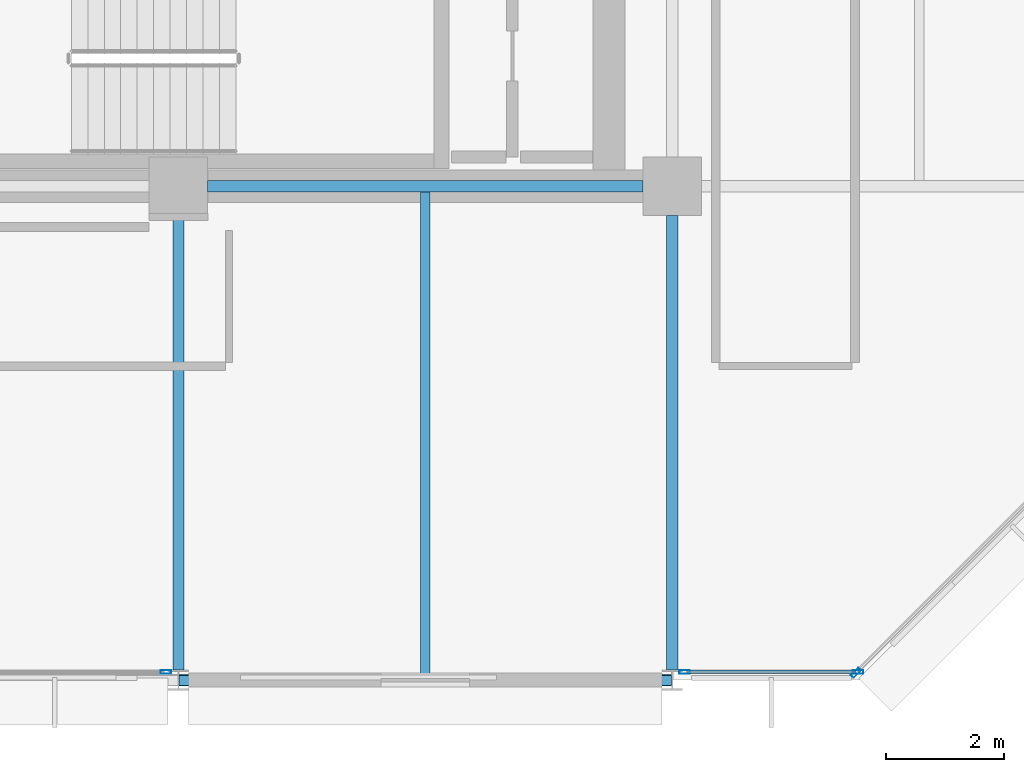
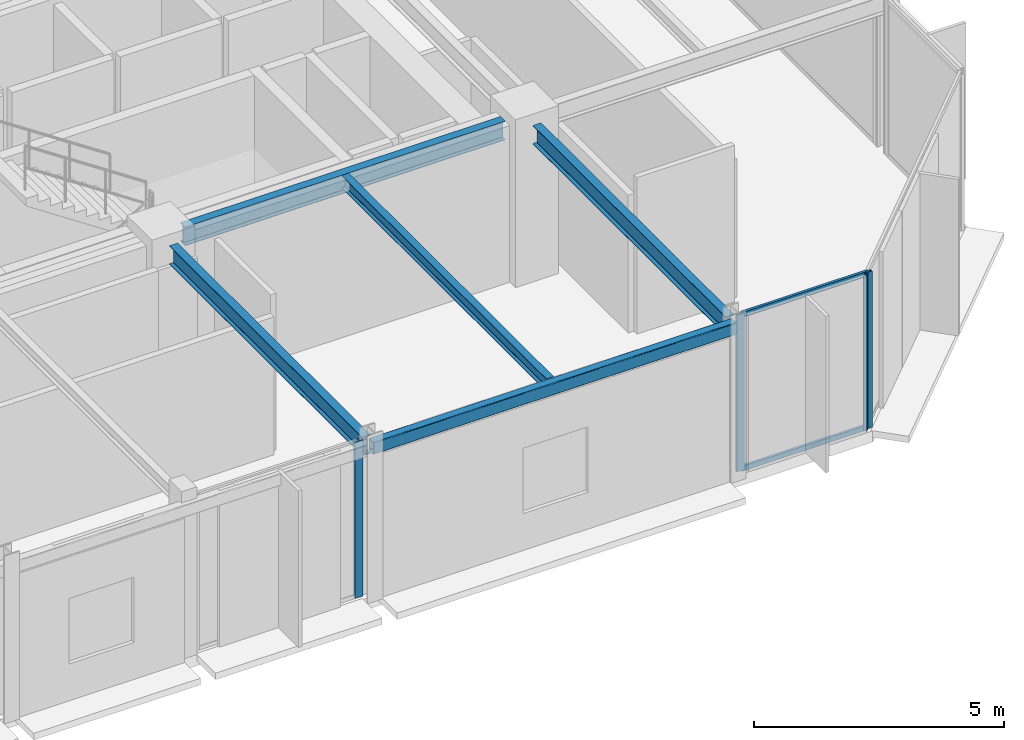
# One storey, part 11 of 30: 6 members, 5 beams, 3 elements without a shape of their own.
"""IFC4 building model written with IfcOpenShell, lengths in metres."""

from ifc_helpers import new_model, si_unit, direction, frame, origin, origin_2d, place, context, subcontext, project, spatial, hollow_rectangle, i_section, extrude, material, layer, layer_set, material_profile, profile_set, type_object, element, aggregate, save


model = new_model("IFC4")

# Units and contexts
model_context = context("Model", 3, precision=1e-05, world=origin(), true_north=direction((0.0, 1.0)))
body_context = subcontext(model_context, "Body", "Model", "MODEL_VIEW")
ifc_project = project(units=[si_unit("LENGTHUNIT", "METRE"), si_unit("AREAUNIT", "SQUARE_METRE"), si_unit("VOLUMEUNIT", "CUBIC_METRE"), si_unit("PLANEANGLEUNIT", "RADIAN"), si_unit("MASSUNIT", "GRAM", prefix="KILO")], contexts=[model_context])

# Site, building, storey
site_placement = place(None, origin())
site = spatial("IfcSite", under=ifc_project, at=site_placement, CompositionType="ELEMENT")
building_placement = place(site_placement, origin())
building = spatial("IfcBuilding", under=site, at=building_placement, Name="Nerrivon Quay Data Exchange", CompositionType="ELEMENT")
storey_placement = place(building_placement, frame((0.0, 0.0, 171.39990234375)))
storey = spatial("IfcBuildingStorey", under=building, at=storey_placement, Name="L40", CompositionType="ELEMENT", Elevation=171.39990234375)

# Beams
ifc_material_1 = material(Name="Steel Grade 350", Category="steel")
ifc_material_profile_1 = material_profile(ifc_material_1, i_section(OverallWidth=0.19091796875, OverallDepth=0.4599609375, WebThickness=0.010009765625, FlangeThickness=0.01611328125, FilletRadius=0.011474609375, at=origin_2d()), Name="460UB82.1")
ifc_profile_set_1 = profile_set([ifc_material_profile_1], Name="Steel Grade 350")
beam_type_1 = type_object("IfcBeamType", Name="BM-G5-460UB82", PredefinedType="BEAM", material=ifc_profile_set_1)
beam_1_placement = place(storey_placement, frame((25.699951171875, 8.39990234375, 3.59521484375), z_axis=(1.0, 0.0, 0.0), x_axis=(0.0, 1.0, 0.0)))
element("IfcBeam", 1, at=beam_1_placement, inside=storey, type_object=beam_type_1, Name="L40 EW Girder Y=8.4 (25.2..33.6)", PredefinedType="BEAM", context=body_context, shape_type="SweptSolid", body=[
    extrude(i_section(OverallWidth=0.19091796875, OverallDepth=0.4599609375, WebThickness=0.010009765625, FlangeThickness=0.01611328125, FilletRadius=0.011474609375, at=origin_2d()), origin(), (0.0, 0.0, 1.0), 7.400146484375),
])
ifc_material_profile_2 = material_profile(ifc_material_1, i_section(OverallWidth=0.18994140625, OverallDepth=0.4541015625, WebThickness=0.008544921875, FlangeThickness=0.0126953125, FilletRadius=0.011474609375, at=origin_2d()), Name="460UB67.1")
ifc_profile_set_2 = profile_set([ifc_material_profile_2], Name="Steel Grade 350")
beam_type_2 = type_object("IfcBeamType", Name="BM-G6-460UB67", PredefinedType="BEAM", material=ifc_profile_set_2)
for number, where, z_axis, x_axis, name in (
    (2, (25.199951171875, 0.175048828125, 3.59814453125), (0.0, 1.0, 0.0), (-1.0, 0.0, 0.0), "L40 NS Girder X=25.2 (0.0..8.4)"),
    (3, (33.60009765625, 0.175048828125, 3.59814453125), (0.0, 1.0, 0.0), (-1.0, 0.0, 0.0), "L40 NS Girder X=33.6 (0.0..8.4)"),
):
    element("IfcBeam", number, at=place(storey_placement, frame(where, z_axis=z_axis, x_axis=x_axis)), inside=storey, type_object=beam_type_2, Name=name, PredefinedType="BEAM", context=body_context, shape_type="SweptSolid", body=[
        extrude(i_section(OverallWidth=0.18994140625, OverallDepth=0.4541015625, WebThickness=0.008544921875, FlangeThickness=0.0126953125, FilletRadius=0.011474609375, at=origin_2d()), origin(), (0.0, 0.0, 1.0), 7.724853515625),
    ])
ifc_material_profile_3 = material_profile(ifc_material_1, i_section(OverallWidth=0.166015625, OverallDepth=0.306884765625, WebThickness=0.006591796875, FlangeThickness=0.01171875, FilletRadius=0.011474609375, at=origin_2d()), Name="310UB46.2")
ifc_profile_set_3 = profile_set([ifc_material_profile_3], Name="Steel Grade 350")
beam_type_3 = type_object("IfcBeamType", Name="BM-J5-310UB46", PredefinedType="JOIST", material=ifc_profile_set_3)
beam_2_placement = place(storey_placement, frame((29.39990234375, 0.10009765625, 3.671630859375), z_axis=(0.0, 1.0, 0.0), x_axis=(-1.0, 0.0, 0.0)))
element("IfcBeam", 4, at=beam_2_placement, inside=storey, type_object=beam_type_3, Name="L40 Secondary Joist X=29.4 (0.0..8.4)", PredefinedType="JOIST", context=body_context, shape_type="SweptSolid", body=[
    extrude(i_section(OverallWidth=0.166015625, OverallDepth=0.306884765625, WebThickness=0.006591796875, FlangeThickness=0.01171875, FilletRadius=0.011474609375, at=origin_2d()), origin(), (0.0, 0.0, 1.0), 8.204345703125),
])
ifc_material_2 = material(Name="Steel Grade C350L0 (350 MPa)", Category="steel")
ifc_material_profile_4 = material_profile(ifc_material_2, hollow_rectangle(XDim=0.199951171875, YDim=0.300048828125, WallThickness=0.012451171875, InnerFilletRadius=0.018798828125, OuterFilletRadius=0.03125, at=origin_2d()), Name="300x200x12.5RHS")
ifc_profile_set_4 = profile_set([ifc_material_profile_4], Name="Steel Grade C350L0 (350 MPa)")
beam_type_4 = type_object("IfcBeamType", Name="BM-SP3-300x200RHS", PredefinedType="SPANDREL", material=ifc_profile_set_4)
beam_3_placement = place(storey_placement, frame((25.2099609375, 0.0, 3.675048828125), z_axis=(1.0, 0.0, 0.0), x_axis=(0.0, 1.0, 0.0)))
element("IfcBeam", 5, at=beam_3_placement, inside=storey, type_object=beam_type_4, Name="L40 EW Girder Y=0.0 (25.2..33.6)", PredefinedType="SPANDREL", context=body_context, shape_type="SweptSolid", body=[
    extrude(hollow_rectangle(XDim=0.199951171875, YDim=0.300048828125, WallThickness=0.012451171875, InnerFilletRadius=0.018798828125, OuterFilletRadius=0.03125, at=origin_2d()), origin(), (0.0, 0.0, 1.0), 8.380126953125),
])

# Curtain wall, member
ifc_material_3 = material(Name="Anodised aluminium 6063-T6", Category="aluminium")
ifc_layer = layer(ifc_material_3, 0.195068359375)
ifc_layer_set = layer_set([ifc_layer], Name="Anodised aluminium 6063-T6")
curtain_wall_type = type_object("IfcCurtainWallType", Name="CW-SYS-06", PredefinedType="NOTDEFINED", material=ifc_layer_set)
curtain_wall_1_placement = place(storey_placement, origin())
curtain_wall_1 = element("IfcCurtainWall", 6, at=curtain_wall_1_placement, inside=storey, type_object=curtain_wall_type, Name="L40 Unitised Curtain Wall 21", PredefinedType="NOTDEFINED")
ifc_material_profile_5 = material_profile(ifc_material_3, hollow_rectangle(XDim=0.06494140625, YDim=0.179931640625, WallThickness=0.00341796875, at=origin_2d()), Name="ALU-MULL-180x65")
ifc_profile_set_5 = profile_set([ifc_material_profile_5], Name="Anodised aluminium 6063-T6")
member_type_1 = type_object("IfcMemberType", Name="CWM-180x65", PredefinedType="MULLION", material=ifc_profile_set_5)
member_1_placement = place(storey_placement, frame((36.7275390625, 0.12548828125, 0.0), z_axis=(0.0, 0.0, 1.0), x_axis=(0.707106781187, -0.707106781187, 0.0)))
member_1 = element("IfcMember", 7, at=member_1_placement, type_object=member_type_1, Name="CW06 mullion 2", PredefinedType="MULLION", context=body_context, shape_type="SweptSolid", body=[
    extrude(hollow_rectangle(XDim=0.06494140625, YDim=0.179931640625, WallThickness=0.00341796875, at=origin_2d()), origin(), (0.0, 0.0, 1.0), 3.8251953125),
])
aggregate(curtain_wall_1, [member_1])

# Curtain wall, members
curtain_wall_2_placement = place(storey_placement, origin())
curtain_wall_2 = element("IfcCurtainWall", 8, at=curtain_wall_2_placement, inside=storey, type_object=curtain_wall_type, Name="L40 Unitised Curtain Wall 22", PredefinedType="NOTDEFINED")
member_2_placement = place(storey_placement, frame((36.762451171875, 0.139892578125, 0.0), z_axis=(0.0, 0.0, 1.0), x_axis=(0.0, -1.0, 0.0)))
member_2 = element("IfcMember", 9, at=member_2_placement, type_object=member_type_1, Name="CW06 mullion 1", PredefinedType="MULLION", context=body_context, shape_type="SweptSolid", body=[
    extrude(hollow_rectangle(XDim=0.06494140625, YDim=0.179931640625, WallThickness=0.00341796875, at=origin_2d()), origin(), (0.0, 0.0, 1.0), 3.8251953125),
])
member_3_placement = place(storey_placement, frame((33.8125, 0.139892578125, 0.0), z_axis=(0.0, 0.0, 1.0), x_axis=(0.0, -1.0, 0.0)))
member_3 = element("IfcMember", 10, at=member_3_placement, type_object=member_type_1, Name="CW06 mullion 2", PredefinedType="MULLION", context=body_context, shape_type="SweptSolid", body=[
    extrude(hollow_rectangle(XDim=0.06494140625, YDim=0.179931640625, WallThickness=0.00341796875, at=origin_2d()), origin(), (0.0, 0.0, 1.0), 3.8251953125),
])

# Curtain wall, member
curtain_wall_3_placement = place(storey_placement, origin())
curtain_wall_3 = element("IfcCurtainWall", 11, at=curtain_wall_3_placement, inside=storey, type_object=curtain_wall_type, Name="L40 Unitised Curtain Wall 24", PredefinedType="NOTDEFINED")
member_4_placement = place(storey_placement, frame((24.987548828125, 0.139892578125, 0.0), z_axis=(0.0, 0.0, 1.0), x_axis=(0.0, -1.0, 0.0)))
member_4 = element("IfcMember", 12, at=member_4_placement, type_object=member_type_1, Name="CW06 mullion 1", PredefinedType="MULLION", context=body_context, shape_type="SweptSolid", body=[
    extrude(hollow_rectangle(XDim=0.06494140625, YDim=0.179931640625, WallThickness=0.00341796875, at=origin_2d()), origin(), (0.0, 0.0, 1.0), 3.8251953125),
])
aggregate(curtain_wall_3, [member_4])

# Member
ifc_material_profile_6 = material_profile(ifc_material_3, hollow_rectangle(XDim=0.06005859375, YDim=0.1201171875, WallThickness=0.003173828125, at=origin_2d()), Name="ALU-TRAN-120x60")
ifc_profile_set_6 = profile_set([ifc_material_profile_6], Name="Anodised aluminium 6063-T6")
member_type_2 = type_object("IfcMemberType", Name="CWT-120x60", PredefinedType="USERDEFINED", material=ifc_profile_set_6)
member_5_placement = place(storey_placement, frame((36.72509765625, 0.139892578125, 0.03271484375), z_axis=(-1.0, 0.0, 0.0), x_axis=(0.0, -1.0, 0.0)))
member_5 = element("IfcMember", 13, at=member_5_placement, type_object=member_type_2, Name="CW06 transom 1.1", ObjectType="TRANSOM", PredefinedType="USERDEFINED", context=body_context, shape_type="SweptSolid", body=[
    extrude(hollow_rectangle(XDim=0.06005859375, YDim=0.1201171875, WallThickness=0.003173828125, at=origin_2d()), origin(), (0.0, 0.0, 1.0), 2.875),
])

member_6_placement = place(storey_placement, frame((36.72509765625, 0.139892578125, 3.79248046875), z_axis=(-1.0, 0.0, 0.0), x_axis=(0.0, -1.0, 0.0)))
member_6 = element("IfcMember", 14, at=member_6_placement, type_object=member_type_2, Name="CW06 transom 1.2", ObjectType="TRANSOM", PredefinedType="USERDEFINED", context=body_context, shape_type="SweptSolid", body=[
    extrude(hollow_rectangle(XDim=0.06005859375, YDim=0.1201171875, WallThickness=0.003173828125, at=origin_2d()), origin(), (0.0, 0.0, 1.0), 2.875),
])

aggregate(curtain_wall_2, [member_2, member_3, member_5, member_6])

save(model, "model.ifc")
